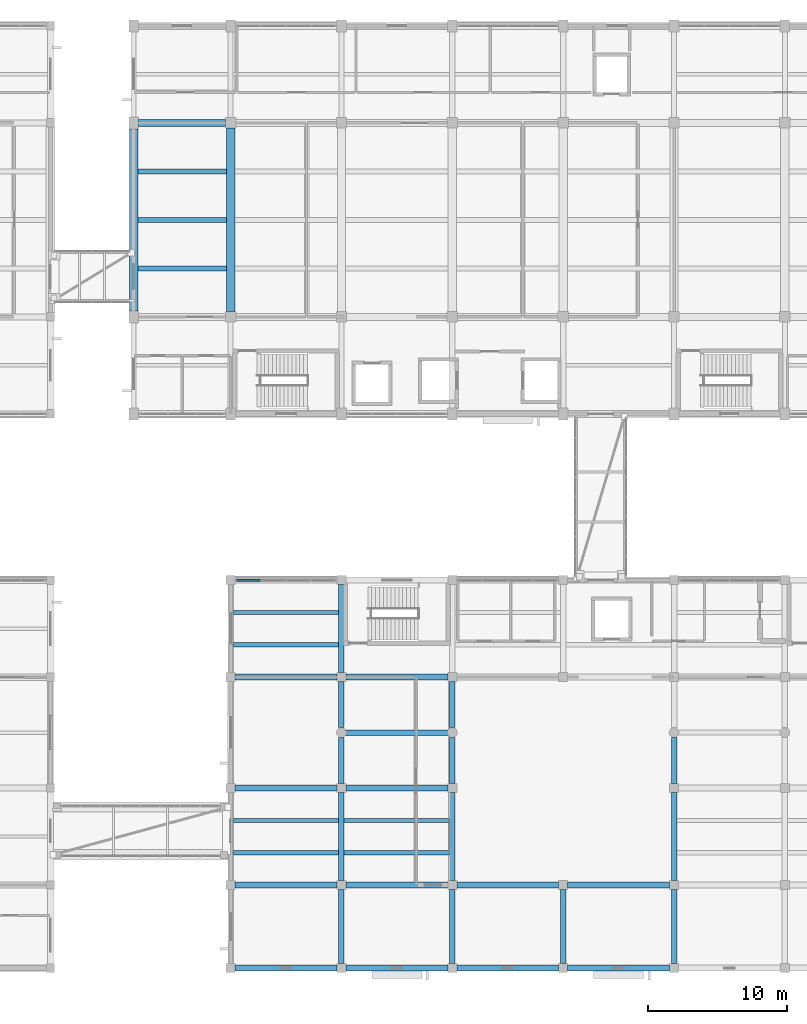
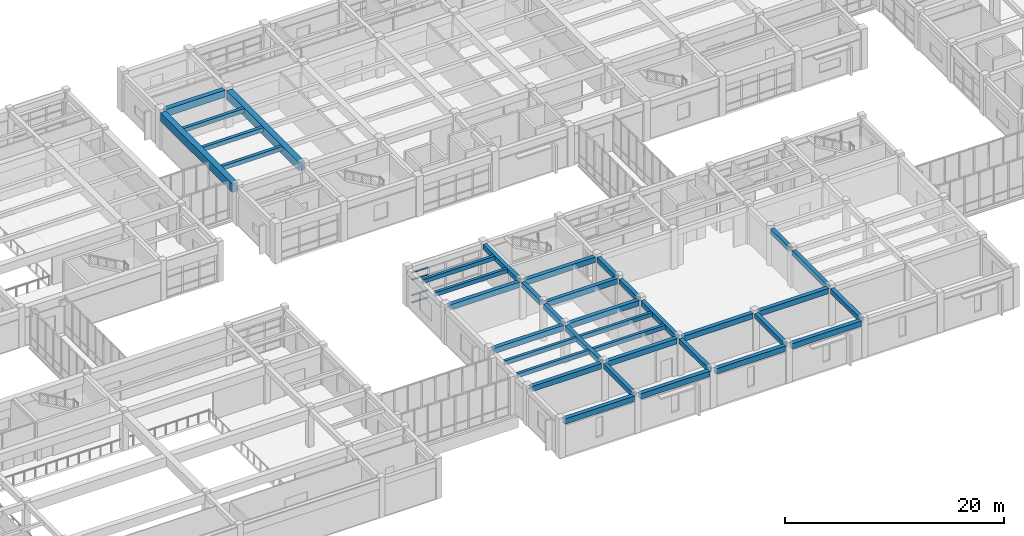
# One storey, part 17 of 72: 38 beams, 4 members, 1 element without a shape of its own.
"""IFC4 building model written with IfcOpenShell, lengths in metres."""

from ifc_helpers import new_model, si_unit, direction, frame, origin, origin_2d, place, context, subcontext, project, spatial, rectangle, extrude, material, layer, layer_set, material_profile, profile_set, type_object, element, aggregate, save


model = new_model("IFC4")

# Units and contexts
model_context = context("Model", 3, precision=1e-05, world=origin(), true_north=direction((0.0, 1.0)))
body_context = subcontext(model_context, "Body", "Model", "MODEL_VIEW")
ifc_project = project(units=[si_unit("LENGTHUNIT", "METRE"), si_unit("AREAUNIT", "SQUARE_METRE"), si_unit("VOLUMEUNIT", "CUBIC_METRE"), si_unit("PLANEANGLEUNIT", "RADIAN"), si_unit("MASSUNIT", "GRAM", prefix="KILO")], contexts=[model_context])

# Site, building, storey
site_placement = place(None, origin())
site = spatial("IfcSite", under=ifc_project, at=site_placement, CompositionType="ELEMENT")
building_placement = place(site_placement, origin())
building = spatial("IfcBuilding", under=site, at=building_placement, Name="Naurynzar Civic Courthouse", CompositionType="ELEMENT")
storey_placement = place(building_placement, frame((0.0, 0.0, 9.89990234375)))
storey = spatial("IfcBuildingStorey", under=building, at=storey_placement, Name="L03", CompositionType="ELEMENT", Elevation=9.89990234375)

# Beams
ifc_material_1 = material(Name="Concrete C40/50", Category="concrete")
ifc_material_profile_1 = material_profile(ifc_material_1, rectangle(XDim=0.300048828125, YDim=0.449951171875, at=origin_2d()), Name="RCJ 300x450")
ifc_profile_set_1 = profile_set([ifc_material_profile_1], Name="Concrete C40/50")
beam_type_1 = type_object("IfcBeamType", Name="BM-JST-300x450", PredefinedType="JOIST", material=ifc_profile_set_1)
for number, where, z_axis, x_axis, name in (
    (1, (69.199951171875, 12.333251953125, 3.93505859375), (1.0, 0.0, 0.0), (0.0, 1.0, 0.0), "V3 secondary rib 1475 L03"),
    (2, (69.199951171875, 14.666748046875, 3.93505859375), (1.0, 0.0, 0.0), (0.0, 1.0, 0.0), "V3 secondary rib 1476 L03"),
    (3, (77.199951171875, 12.333251953125, 3.93505859375), (1.0, 0.0, 0.0), (0.0, 1.0, 0.0), "V3 secondary rib 1477 L03"),
    (4, (77.199951171875, 14.666748046875, 3.93505859375), (1.0, 0.0, 0.0), (0.0, 1.0, 0.0), "V3 secondary rib 1478 L03"),
    (5, (69.199951171875, 27.333251953125, 3.93505859375), (1.0, 0.0, 0.0), (0.0, 1.0, 0.0), "V3 secondary rib 1483 L03"),
    (6, (69.199951171875, 29.666748046875, 3.93505859375), (1.0, 0.0, 0.0), (0.0, 1.0, 0.0), "V3 secondary rib 1484 L03"),
):
    element("IfcBeam", number, at=place(storey_placement, frame(where, z_axis=z_axis, x_axis=x_axis)), inside=storey, type_object=beam_type_1, Name=name, PredefinedType="JOIST", context=body_context, shape_type="SweptSolid", body=[
        extrude(rectangle(XDim=0.300048828125, YDim=0.449951171875, at=origin_2d()), origin(), (0.0, 0.0, 1.0), 7.60009765625),
    ])
ifc_material_2 = material(Name="Concrete C40/50", Category="concrete")
ifc_material_profile_2 = material_profile(ifc_material_2, rectangle(XDim=0.39990234375, YDim=0.60009765625, at=origin_2d()), Name="RCL 400x600")
ifc_profile_set_2 = profile_set([ifc_material_profile_2], Name="Concrete C40/50")
beam_type_2 = type_object("IfcBeamType", Name="BM-LNT-400x600", PredefinedType="LINTEL", material=ifc_profile_set_2)
beam_1_placement = place(storey_placement, frame((77.25, 21.0, 3.860107421875), z_axis=(1.0, 0.0, 0.0), x_axis=(0.0, 1.0, 0.0)))
element("IfcBeam", 7, at=beam_1_placement, inside=storey, type_object=beam_type_2, Name="Law Library spine lintel beam 7", PredefinedType="LINTEL", context=body_context, shape_type="SweptSolid", body=[
    extrude(rectangle(XDim=0.39990234375, YDim=0.60009765625, at=origin_2d()), origin(), (0.0, 0.0, 1.0), 7.5),
])
ifc_material_3 = material(Name="Concrete C40/50", Category="concrete")
ifc_material_profile_3 = material_profile(ifc_material_3, rectangle(XDim=0.60009765625, YDim=0.949951171875, at=origin_2d()), Name="PTB 600x950")
ifc_profile_set_3 = profile_set([ifc_material_profile_3], Name="Concrete C40/50")
beam_type_3 = type_object("IfcBeamType", Name="BM-PT-600x950", PredefinedType="T_BEAM", material=ifc_profile_set_3)
beam_2_placement = place(storey_placement, frame((62.0, 51.425048828125, 3.72509765625), z_axis=(0.0, 1.0, 0.0), x_axis=(-1.0, 0.0, 0.0)))
element("IfcBeam", 8, at=beam_2_placement, inside=storey, type_object=beam_type_3, Name="V2 girder Y-594 L03", PredefinedType="T_BEAM", context=body_context, shape_type="SweptSolid", body=[
    extrude(rectangle(XDim=0.60009765625, YDim=0.949951171875, at=origin_2d()), origin(), (0.0, 0.0, 1.0), 13.14990234375),
])
beam_3_placement = place(storey_placement, frame((69.0, 51.375, 3.72509765625), z_axis=(0.0, 1.0, 0.0), x_axis=(-1.0, 0.0, 0.0)))
element("IfcBeam", 9, at=beam_3_placement, inside=storey, type_object=beam_type_3, Name="V2 girder Y-597 L03", PredefinedType="T_BEAM", context=body_context, shape_type="SweptSolid", body=[
    extrude(rectangle(XDim=0.60009765625, YDim=0.949951171875, at=origin_2d()), origin(), (0.0, 0.0, 1.0), 13.25),
])
ifc_material_4 = material(Name="Concrete C40/50", Category="concrete")
ifc_material_profile_4 = material_profile(ifc_material_4, rectangle(XDim=0.35009765625, YDim=0.449951171875, at=origin_2d()), Name="RCB 350x450")
ifc_profile_set_4 = profile_set([ifc_material_profile_4], Name="Concrete C40/50")
beam_type_4 = type_object("IfcBeamType", Name="BM-RC-350x450", PredefinedType="BEAM", material=ifc_profile_set_4)
for number, where, z_axis, x_axis, name in (
    (10, (62.300048828125, 54.5, 3.97509765625), (1.0, 0.0, 0.0), (0.0, 1.0, 0.0), "V2 secondary rib 624 L03"),
    (11, (62.300048828125, 58.0, 3.97509765625), (1.0, 0.0, 0.0), (0.0, 1.0, 0.0), "V2 secondary rib 625 L03"),
    (12, (62.300048828125, 61.5, 3.97509765625), (1.0, 0.0, 0.0), (0.0, 1.0, 0.0), "V2 secondary rib 626 L03"),
):
    element("IfcBeam", number, at=place(storey_placement, frame(where, z_axis=z_axis, x_axis=x_axis)), inside=storey, type_object=beam_type_4, Name=name, PredefinedType="BEAM", context=body_context, shape_type="SweptSolid", body=[
        extrude(rectangle(XDim=0.35009765625, YDim=0.449951171875, at=origin_2d()), origin(), (0.0, 0.0, 1.0), 6.39990234375),
    ])
ifc_material_5 = material(Name="Concrete C40/50", Category="concrete")
ifc_material_profile_5 = material_profile(ifc_material_5, rectangle(XDim=0.39990234375, YDim=0.550048828125, at=origin_2d()), Name="RCB 400x550")
ifc_profile_set_5 = profile_set([ifc_material_profile_5], Name="Concrete C40/50")
beam_type_5 = type_object("IfcBeamType", Name="BM-RC-400x550", PredefinedType="BEAM", material=ifc_profile_set_5)
beam_4_placement = place(storey_placement, frame((77.0, 4.324951171875, 3.885009765625), z_axis=(0.0, 1.0, 0.0), x_axis=(-1.0, 0.0, 0.0)))
element("IfcBeam", 13, at=beam_4_placement, inside=storey, type_object=beam_type_5, Name="V3 girder Y-1449 L03", PredefinedType="BEAM", context=body_context, shape_type="SweptSolid", body=[
    extrude(rectangle(XDim=0.39990234375, YDim=0.550048828125, at=origin_2d()), origin(), (0.0, 0.0, 1.0), 5.35009765625),
])
beam_5_placement = place(storey_placement, frame((77.0, 10.324951171875, 3.885009765625), z_axis=(0.0, 1.0, 0.0), x_axis=(-1.0, 0.0, 0.0)))
element("IfcBeam", 14, at=beam_5_placement, inside=storey, type_object=beam_type_5, Name="V3 girder Y-1450 L03", PredefinedType="BEAM", context=body_context, shape_type="SweptSolid", body=[
    extrude(rectangle(XDim=0.39990234375, YDim=0.550048828125, at=origin_2d()), origin(), (0.0, 0.0, 1.0), 6.35009765625),
])
for number, where, z_axis, x_axis, name in (
    (15, (77.0, 17.324951171875, 3.885009765625), (0.0, 1.0, 0.0), (-1.0, 0.0, 0.0), "V3 girder Y-1451 L03"),
    (16, (77.0, 21.35009765625, 3.885009765625), (0.0, 1.0, 0.0), (-1.0, 0.0, 0.0), "V3 girder Y-1452 L03"),
):
    element("IfcBeam", number, at=place(storey_placement, frame(where, z_axis=z_axis, x_axis=x_axis)), inside=storey, type_object=beam_type_5, Name=name, PredefinedType="BEAM", context=body_context, shape_type="SweptSolid", body=[
        extrude(rectangle(XDim=0.39990234375, YDim=0.550048828125, at=origin_2d()), origin(), (0.0, 0.0, 1.0), 3.324951171875),
    ])
beam_6_placement = place(storey_placement, frame((77.0, 25.324951171875, 3.885009765625), z_axis=(0.0, 1.0, 0.0), x_axis=(-1.0, 0.0, 0.0)))
element("IfcBeam", 17, at=beam_6_placement, inside=storey, type_object=beam_type_5, Name="V3 girder Y-1453 L03", PredefinedType="BEAM", context=body_context, shape_type="SweptSolid", body=[
    extrude(rectangle(XDim=0.39990234375, YDim=0.550048828125, at=origin_2d()), origin(), (0.0, 0.0, 1.0), 6.35009765625),
])
beam_7_placement = place(storey_placement, frame((85.0, 4.324951171875, 3.885009765625), z_axis=(0.0, 1.0, 0.0), x_axis=(-1.0, 0.0, 0.0)))
element("IfcBeam", 18, at=beam_7_placement, inside=storey, type_object=beam_type_5, Name="V3 girder Y-1454 L03", PredefinedType="BEAM", context=body_context, shape_type="SweptSolid", body=[
    extrude(rectangle(XDim=0.39990234375, YDim=0.550048828125, at=origin_2d()), origin(), (0.0, 0.0, 1.0), 5.35009765625),
])
beam_8_placement = place(storey_placement, frame((85.0, 10.324951171875, 3.885009765625), z_axis=(0.0, 1.0, 0.0), x_axis=(-1.0, 0.0, 0.0)))
element("IfcBeam", 19, at=beam_8_placement, inside=storey, type_object=beam_type_5, Name="V3 girder Y-1455 L03", PredefinedType="BEAM", context=body_context, shape_type="SweptSolid", body=[
    extrude(rectangle(XDim=0.39990234375, YDim=0.550048828125, at=origin_2d()), origin(), (0.0, 0.0, 1.0), 6.35009765625),
])
for number, where, z_axis, x_axis, name in (
    (20, (85.0, 17.324951171875, 3.885009765625), (0.0, 1.0, 0.0), (-1.0, 0.0, 0.0), "V3 girder Y-1456 L03"),
    (21, (85.0, 21.35009765625, 3.885009765625), (0.0, 1.0, 0.0), (-1.0, 0.0, 0.0), "V3 girder Y-1457 L03"),
):
    element("IfcBeam", number, at=place(storey_placement, frame(where, z_axis=z_axis, x_axis=x_axis)), inside=storey, type_object=beam_type_5, Name=name, PredefinedType="BEAM", context=body_context, shape_type="SweptSolid", body=[
        extrude(rectangle(XDim=0.39990234375, YDim=0.550048828125, at=origin_2d()), origin(), (0.0, 0.0, 1.0), 3.324951171875),
    ])
for number, where, z_axis, x_axis, name in (
    (22, (93.0, 4.324951171875, 3.885009765625), (0.0, 1.0, 0.0), (-1.0, 0.0, 0.0), "V3 girder Y-1459 L03"),
    (23, (101.0, 4.324951171875, 3.885009765625), (0.0, 1.0, 0.0), (-1.0, 0.0, 0.0), "V3 girder Y-1461 L03"),
):
    element("IfcBeam", number, at=place(storey_placement, frame(where, z_axis=z_axis, x_axis=x_axis)), inside=storey, type_object=beam_type_5, Name=name, PredefinedType="BEAM", context=body_context, shape_type="SweptSolid", body=[
        extrude(rectangle(XDim=0.39990234375, YDim=0.550048828125, at=origin_2d()), origin(), (0.0, 0.0, 1.0), 5.35009765625),
    ])
beam_9_placement = place(storey_placement, frame((101.0, 10.324951171875, 3.885009765625), z_axis=(0.0, 1.0, 0.0), x_axis=(-1.0, 0.0, 0.0)))
element("IfcBeam", 24, at=beam_9_placement, inside=storey, type_object=beam_type_5, Name="V3 girder Y-1462 L03", PredefinedType="BEAM", context=body_context, shape_type="SweptSolid", body=[
    extrude(rectangle(XDim=0.39990234375, YDim=0.550048828125, at=origin_2d()), origin(), (0.0, 0.0, 1.0), 6.35009765625),
])
beam_10_placement = place(storey_placement, frame((101.0, 17.324951171875, 3.885009765625), z_axis=(0.0, 1.0, 0.0), x_axis=(-1.0, 0.0, 0.0)))
element("IfcBeam", 25, at=beam_10_placement, inside=storey, type_object=beam_type_5, Name="V3 girder Y-1463 L03", PredefinedType="BEAM", context=body_context, shape_type="SweptSolid", body=[
    extrude(rectangle(XDim=0.39990234375, YDim=0.550048828125, at=origin_2d()), origin(), (0.0, 0.0, 1.0), 3.324951171875),
])
ifc_material_6 = material(Name="Concrete C40/50", Category="concrete")
ifc_material_profile_6 = material_profile(ifc_material_6, rectangle(XDim=0.425048828125, YDim=0.60009765625, at=origin_2d()), Name="RCB 425x600")
ifc_profile_set_6 = profile_set([ifc_material_profile_6], Name="Concrete C40/50")
beam_type_6 = type_object("IfcBeamType", Name="BM-RC-425x600", PredefinedType="BEAM", material=ifc_profile_set_6)
for number, where, z_axis, x_axis, name in (
    (26, (69.324951171875, 4.0, 3.860107421875), (1.0, 0.0, 0.0), (0.0, 1.0, 0.0), "V3 beam X-1417 L03"),
    (27, (77.324951171875, 4.0, 3.860107421875), (1.0, 0.0, 0.0), (0.0, 1.0, 0.0), "V3 beam X-1418 L03"),
    (28, (85.324951171875, 4.0, 3.860107421875), (1.0, 0.0, 0.0), (0.0, 1.0, 0.0), "V3 beam X-1419 L03"),
    (29, (93.324951171875, 4.0, 3.860107421875), (1.0, 0.0, 0.0), (0.0, 1.0, 0.0), "V3 beam X-1420 L03"),
    (30, (69.324951171875, 10.0, 3.860107421875), (1.0, 0.0, 0.0), (0.0, 1.0, 0.0), "V3 beam X-1423 L03"),
    (31, (77.324951171875, 10.0, 3.860107421875), (1.0, 0.0, 0.0), (0.0, 1.0, 0.0), "V3 beam X-1424 L03"),
    (32, (85.324951171875, 10.0, 3.860107421875), (1.0, 0.0, 0.0), (0.0, 1.0, 0.0), "V3 beam X-1425 L03"),
    (33, (93.324951171875, 10.0, 3.860107421875), (1.0, 0.0, 0.0), (0.0, 1.0, 0.0), "V3 beam X-1426 L03"),
    (34, (69.324951171875, 17.0, 3.860107421875), (1.0, 0.0, 0.0), (0.0, 1.0, 0.0), "V3 beam X-1429 L03"),
    (35, (77.324951171875, 17.0, 3.860107421875), (1.0, 0.0, 0.0), (0.0, 1.0, 0.0), "V3 beam X-1430 L03"),
    (36, (69.324951171875, 25.0, 3.860107421875), (1.0, 0.0, 0.0), (0.0, 1.0, 0.0), "V3 beam X-1433 L03"),
    (37, (77.324951171875, 25.0, 3.860107421875), (1.0, 0.0, 0.0), (0.0, 1.0, 0.0), "V3 beam X-1434 L03"),
):
    element("IfcBeam", number, at=place(storey_placement, frame(where, z_axis=z_axis, x_axis=x_axis)), inside=storey, type_object=beam_type_6, Name=name, PredefinedType="BEAM", context=body_context, shape_type="SweptSolid", body=[
        extrude(rectangle(XDim=0.425048828125, YDim=0.60009765625, at=origin_2d()), origin(), (0.0, 0.0, 1.0), 7.35009765625),
    ])
ifc_material_7 = material(Name="Concrete C40/50", Category="concrete")
ifc_material_profile_7 = material_profile(ifc_material_7, rectangle(XDim=0.5, YDim=0.800048828125, at=origin_2d()), Name="RCB 500x800")
ifc_profile_set_7 = profile_set([ifc_material_profile_7], Name="Concrete C40/50")
beam_type_7 = type_object("IfcBeamType", Name="BM-RC-500x800", PredefinedType="BEAM", material=ifc_profile_set_7)
beam_11_placement = place(storey_placement, frame((62.35009765625, 65.0, 3.800048828125), z_axis=(1.0, 0.0, 0.0), x_axis=(0.0, 1.0, 0.0)))
element("IfcBeam", 38, at=beam_11_placement, inside=storey, type_object=beam_type_7, Name="V2 beam X-577 L03", PredefinedType="BEAM", context=body_context, shape_type="SweptSolid", body=[
    extrude(rectangle(XDim=0.5, YDim=0.800048828125, at=origin_2d()), origin(), (0.0, 0.0, 1.0), 6.27490234375),
])

# Curtain wall, members
ifc_material_8 = material(Name="Aluminium 6063-T6", Category="aluminium")
ifc_layer = layer(ifc_material_8, 0.159912109375)
ifc_layer_set = layer_set([ifc_layer], Name="CW-UNIT-1800")
curtain_wall_type = type_object("IfcCurtainWallType", Name="CW-UNIT-1800", PredefinedType="NOTDEFINED", material=ifc_layer_set)
curtain_wall_placement = place(storey_placement, origin())
curtain_wall = element("IfcCurtainWall", 39, at=curtain_wall_placement, inside=storey, type_object=curtain_wall_type, Name="V3 unitised curtain wall 67 L03", PredefinedType="NOTDEFINED")
ifc_material_9 = material(Name="Aluminium 6063-T6", Category="aluminium")
ifc_material_profile_8 = material_profile(ifc_material_9, rectangle(XDim=0.1298828125, YDim=0.070068359375, at=origin_2d()), Name="ALU TRANSOM 70x130")
ifc_profile_set_8 = profile_set([ifc_material_profile_8], Name="Aluminium 6063-T6")
member_type = type_object("IfcMemberType", Name="CWT-70x130", PredefinedType="USERDEFINED", material=ifc_profile_set_8)
member_1_placement = place(storey_placement, frame((69.445068359375, 32.0, 0.03515625), z_axis=(1.0, 0.0, 0.0), x_axis=(0.0, 1.0, 0.0)))
member_1 = element("IfcMember", 40, at=member_1_placement, type_object=member_type, Name="CW-02 transom 1.1", ObjectType="TRANSOM", PredefinedType="USERDEFINED", context=body_context, shape_type="SweptSolid", body=[
    extrude(rectangle(XDim=0.1298828125, YDim=0.070068359375, at=origin_2d()), origin(), (0.0, 0.0, 1.0), 1.70751953125),
])
member_2_placement = place(storey_placement, frame((69.445068359375, 32.0, 0.85009765625), z_axis=(1.0, 0.0, 0.0), x_axis=(0.0, 1.0, 0.0)))
member_2 = element("IfcMember", 41, at=member_2_placement, type_object=member_type, Name="CW-02 transom 1.2", ObjectType="TRANSOM", PredefinedType="USERDEFINED", context=body_context, shape_type="SweptSolid", body=[
    extrude(rectangle(XDim=0.1298828125, YDim=0.070068359375, at=origin_2d()), origin(), (0.0, 0.0, 1.0), 1.70751953125),
])
member_3_placement = place(storey_placement, frame((69.445068359375, 32.0, 2.590087890625), z_axis=(1.0, 0.0, 0.0), x_axis=(0.0, 1.0, 0.0)))
member_3 = element("IfcMember", 42, at=member_3_placement, type_object=member_type, Name="CW-02 transom 1.3", ObjectType="TRANSOM", PredefinedType="USERDEFINED", context=body_context, shape_type="SweptSolid", body=[
    extrude(rectangle(XDim=0.1298828125, YDim=0.070068359375, at=origin_2d()), origin(), (0.0, 0.0, 1.0), 1.70751953125),
])
member_4_placement = place(storey_placement, frame((69.445068359375, 32.0, 3.405029296875), z_axis=(1.0, 0.0, 0.0), x_axis=(0.0, 1.0, 0.0)))
member_4 = element("IfcMember", 43, at=member_4_placement, type_object=member_type, Name="CW-02 transom 1.4", ObjectType="TRANSOM", PredefinedType="USERDEFINED", context=body_context, shape_type="SweptSolid", body=[
    extrude(rectangle(XDim=0.1298828125, YDim=0.070068359375, at=origin_2d()), origin(), (0.0, 0.0, 1.0), 1.70751953125),
])
aggregate(curtain_wall, [member_1, member_2, member_3, member_4])

save(model, "model.ifc")
